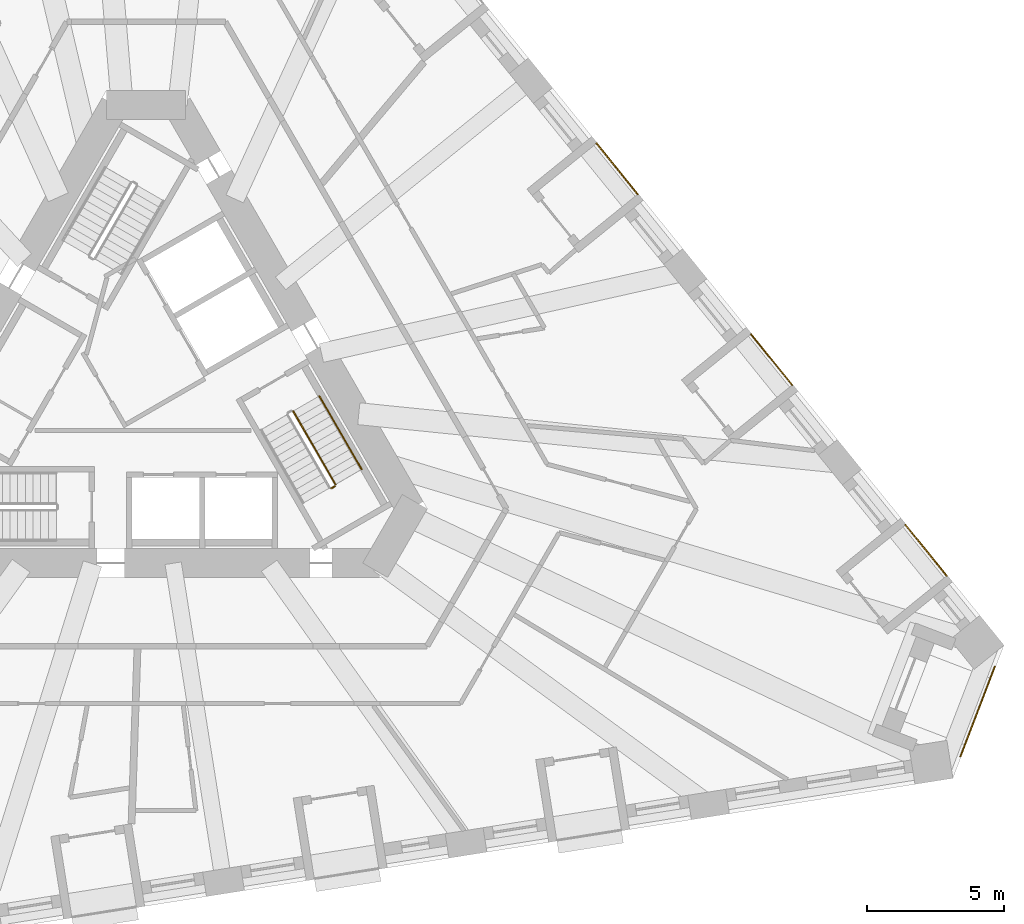
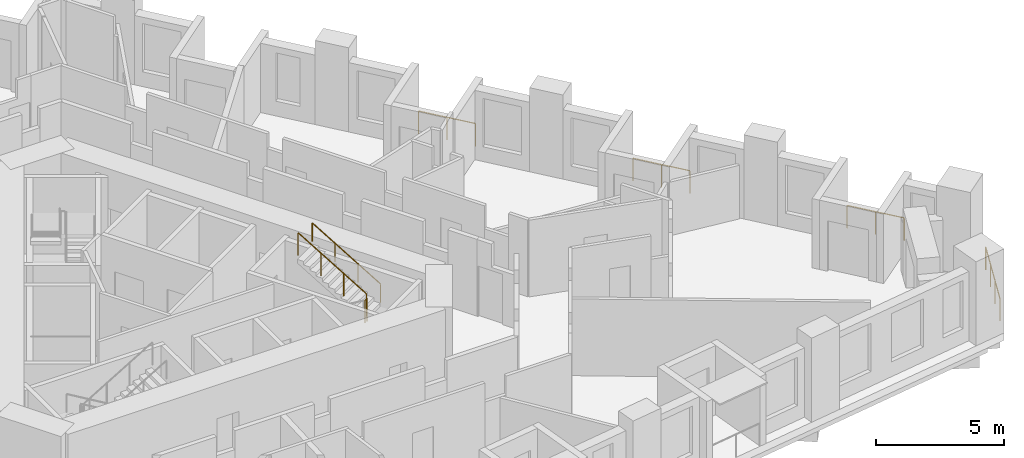
# One storey, part 13 of 14: 7 railings.
"""IFC4 building model written with IfcOpenShell, lengths in metres."""

from ifc_helpers import new_model, si_unit, direction, frame, origin, origin_2d, place, context, subcontext, project, spatial, circle, extrude, material, type_object, element, save


model = new_model("IFC4")

# Units and contexts
model_context = context("Model", 3, precision=1e-05, world=origin(), true_north=direction((0.0, 1.0)))
body_context = subcontext(model_context, "Body", "Model", "MODEL_VIEW")
ifc_project = project(units=[si_unit("LENGTHUNIT", "METRE"), si_unit("AREAUNIT", "SQUARE_METRE"), si_unit("VOLUMEUNIT", "CUBIC_METRE"), si_unit("PLANEANGLEUNIT", "RADIAN"), si_unit("MASSUNIT", "GRAM", prefix="KILO")], contexts=[model_context])

# Site, building, storey
site_placement = place(None, origin())
site = spatial("IfcSite", under=ifc_project, at=site_placement, CompositionType="ELEMENT")
building_placement = place(site_placement, origin())
building = spatial("IfcBuilding", under=site, at=building_placement, Name="Tramontana Tower", CompositionType="ELEMENT")
storey_placement = place(building_placement, frame((0.0, 0.0, 63.199951171875)))
storey = spatial("IfcBuildingStorey", under=building, at=storey_placement, Name="L13", CompositionType="ELEMENT", Elevation=63.199951171875)

# Railings
ifc_material_1 = material(Name="Laminated glass balustrade", Category="glass")
railing_type_1 = type_object("IfcRailingType", Name="GD1 Loggia glass balustrade 1100", PredefinedType="BALUSTRADE", material=ifc_material_1)
railing_1_placement = place(storey_placement, frame((29.18310546875, -6.68896484375, 0.0)))
element("IfcRailing", 1, at=railing_1_placement, inside=storey, type_object=railing_type_1, Name="Loggia balustrade L13 G1S2.1", PredefinedType="BALUSTRADE", context=body_context, shape_type="SweptSolid", body=[
    extrude(circle(Radius=0.02392578125, at=origin_2d()), frame((0.0, 0.0, 1.076171875), z_axis=(-0.629369155682, 0.777106470103, 0.0), x_axis=(-0.777106470103, -0.629369155682, 0.0)), (0.0, 0.0, 1.0), 2.383056640625),
    extrude(circle(Radius=0.02099609375, at=origin_2d()), origin(), (0.0, 0.0, 1.0), 1.052001953125),
    extrude(circle(Radius=0.02099609375, at=origin_2d()), frame((-0.75, 0.92578125, 0.0)), (0.0, 0.0, 1.0), 1.052001953125),
    extrude(circle(Radius=0.02099609375, at=origin_2d()), frame((-1.499755859375, 1.851806640625, 0.0)), (0.0, 0.0, 1.0), 1.052001953125),
])
railing_2_placement = place(storey_placement, frame((23.55126953125, 0.265625, 0.0)))
element("IfcRailing", 2, at=railing_2_placement, inside=storey, type_object=railing_type_1, Name="Loggia balustrade L13 G1S2.4", PredefinedType="BALUSTRADE", context=body_context, shape_type="SweptSolid", body=[
    extrude(circle(Radius=0.02392578125, at=origin_2d()), frame((0.0, 0.0, 1.076171875), z_axis=(-0.629257171563, 0.777197151331, 0.0), x_axis=(-0.777197151331, -0.629257171563, 0.0)), (0.0, 0.0, 1.0), 2.383056640625),
    extrude(circle(Radius=0.02099609375, at=origin_2d()), origin(), (0.0, 0.0, 1.0), 1.052001953125),
    extrude(circle(Radius=0.02099609375, at=origin_2d()), frame((-0.749755859375, 0.926025390625, 0.0)), (0.0, 0.0, 1.0), 1.052001953125),
    extrude(circle(Radius=0.02099609375, at=origin_2d()), frame((-1.49951171875, 1.85205078125, 0.0)), (0.0, 0.0, 1.0), 1.052001953125),
])
railing_3_placement = place(storey_placement, frame((17.919677734375, 7.22021484375, 0.0)))
element("IfcRailing", 3, at=railing_3_placement, inside=storey, type_object=railing_type_1, Name="Loggia balustrade L13 G1S2.7", PredefinedType="BALUSTRADE", context=body_context, shape_type="SweptSolid", body=[
    extrude(circle(Radius=0.02392578125, at=origin_2d()), frame((0.0, 0.0, 1.076171875), z_axis=(-0.629319049918, 0.777147047482, 0.0), x_axis=(-0.777147047482, -0.629319049918, 0.0)), (0.0, 0.0, 1.0), 2.383056640625),
    extrude(circle(Radius=0.02099609375, at=origin_2d()), origin(), (0.0, 0.0, 1.0), 1.052001953125),
    extrude(circle(Radius=0.02099609375, at=origin_2d()), frame((-0.75, 0.926025390625, 0.0)), (0.0, 0.0, 1.0), 1.052001953125),
    extrude(circle(Radius=0.02099609375, at=origin_2d()), frame((-1.499755859375, 1.85205078125, 0.0)), (0.0, 0.0, 1.0), 1.052001953125),
])
railing_4_placement = place(storey_placement, frame((30.9404296875, -10.00244140625, 0.0)))
element("IfcRailing", 4, at=railing_4_placement, inside=storey, type_object=railing_type_1, Name="Corner loggia balustrade L13 K12", PredefinedType="BALUSTRADE", context=body_context, shape_type="SweptSolid", body=[
    extrude(circle(Radius=0.02392578125, at=origin_2d()), frame((0.0, 0.0, 1.076171875), z_axis=(-0.358329267986, -0.933595274037, 0.0), x_axis=(0.933595274037, -0.358329267986, 0.0)), (0.0, 0.0, 1.0), 3.5),
    extrude(circle(Radius=0.02099609375, at=origin_2d()), origin(), (0.0, 0.0, 1.0), 1.052001953125),
    extrude(circle(Radius=0.02099609375, at=origin_2d()), frame((-0.41796875, -1.089111328125, 0.0)), (0.0, 0.0, 1.0), 1.052001953125),
    extrude(circle(Radius=0.02099609375, at=origin_2d()), frame((-0.836181640625, -2.178466796875, 0.0)), (0.0, 0.0, 1.0), 1.052001953125),
    extrude(circle(Radius=0.02099609375, at=origin_2d()), frame((-1.254150390625, -3.267578125, 0.0)), (0.0, 0.0, 1.0), 1.052001953125),
])
ifc_material_2 = material(Name="Painted steel", Category="steel")
railing_type_2 = type_object("IfcRailingType", Name="STAIR GUARD 1100", PredefinedType="GUARDRAIL", material=ifc_material_2)
railing_5_placement = place(storey_placement, frame((6.90380859375, -3.35791015625, 2.166748046875)))
element("IfcRailing", 5, at=railing_5_placement, inside=storey, type_object=railing_type_2, Name="L13 ST3 stair guard 2", PredefinedType="GUARDRAIL", context=body_context, shape_type="SweptSolid", body=[
    extrude(circle(Radius=0.02392578125, at=origin_2d()), frame((0.0, 0.0, 1.076171875), z_axis=(-0.429615651263, 0.74418122563, 0.511492615401), x_axis=(-0.866044340336, -0.499967199496, 0.0)), (0.0, 0.0, 1.0), 3.584228515625),
    extrude(circle(Radius=0.02099609375, at=origin_2d()), origin(), (0.0, 0.0, 1.0), 1.052001953125),
    extrude(circle(Radius=0.02099609375, at=origin_2d()), frame((-0.51318359375, 0.88916015625, 0.611083984375)), (0.0, 0.0, 1.0), 1.052001953125),
    extrude(circle(Radius=0.02099609375, at=origin_2d()), frame((-1.026611328125, 1.778076171875, 1.22216796875)), (0.0, 0.0, 1.0), 1.052001953125),
    extrude(circle(Radius=0.02099609375, at=origin_2d()), frame((-1.539794921875, 2.667236328125, 1.833251953125)), (0.0, 0.0, 1.0), 1.052001953125),
])
railing_6_placement = place(storey_placement, frame((6.755615234375, -3.501220703125, 2.0)))
element("IfcRailing", 6, at=railing_6_placement, inside=storey, type_object=railing_type_2, Name="L13 ST3 stair guard 3", PredefinedType="GUARDRAIL", context=body_context, shape_type="SweptSolid", body=[
    extrude(circle(Radius=0.02392578125, at=origin_2d()), frame((0.0, 0.0, 1.076171875), z_axis=(0.866131372301, 0.499816412211, 0.0), x_axis=(-0.499816412211, 0.866131372301, 0.0)), (0.0, 0.0, 1.0), 0.14990234375),
    extrude(circle(Radius=0.02099609375, at=origin_2d()), origin(), (0.0, 0.0, 1.0), 1.052001953125),
    extrude(circle(Radius=0.02099609375, at=origin_2d()), frame((0.1298828125, 0.074951171875, 0.0)), (0.0, 0.0, 1.0), 1.052001953125),
])
ifc_material_3 = material(Name="Painted steel", Category="steel")
railing_type_3 = type_object("IfcRailingType", Name="STAIR HANDRAIL 900", PredefinedType="HANDRAIL", material=ifc_material_3)
railing_7_placement = place(storey_placement, frame((7.8564453125, -2.807861328125, 2.166748046875)))
element("IfcRailing", 7, at=railing_7_placement, inside=storey, type_object=railing_type_3, Name="L13 ST3 stair handrail 2", PredefinedType="HANDRAIL", context=body_context, shape_type="SweptSolid", body=[
    extrude(circle(Radius=0.02392578125, at=origin_2d()), frame((0.0, 0.0, 0.8759765625), z_axis=(-0.429615651263, 0.74418122563, 0.511492615401), x_axis=(-0.866044340336, -0.499967199496, 0.0)), (0.0, 0.0, 1.0), 3.584228515625),
    extrude(circle(Radius=0.02099609375, at=origin_2d()), origin(), (0.0, 0.0, 1.0), 0.851806640625),
    extrude(circle(Radius=0.02099609375, at=origin_2d()), frame((-0.51318359375, 0.88916015625, 0.611083984375)), (0.0, 0.0, 1.0), 0.851806640625),
    extrude(circle(Radius=0.02099609375, at=origin_2d()), frame((-1.026611328125, 1.778076171875, 1.22216796875)), (0.0, 0.0, 1.0), 0.851806640625),
    extrude(circle(Radius=0.02099609375, at=origin_2d()), frame((-1.539794921875, 2.667236328125, 1.833251953125)), (0.0, 0.0, 1.0), 0.851806640625),
])

save(model, "model.ifc")
